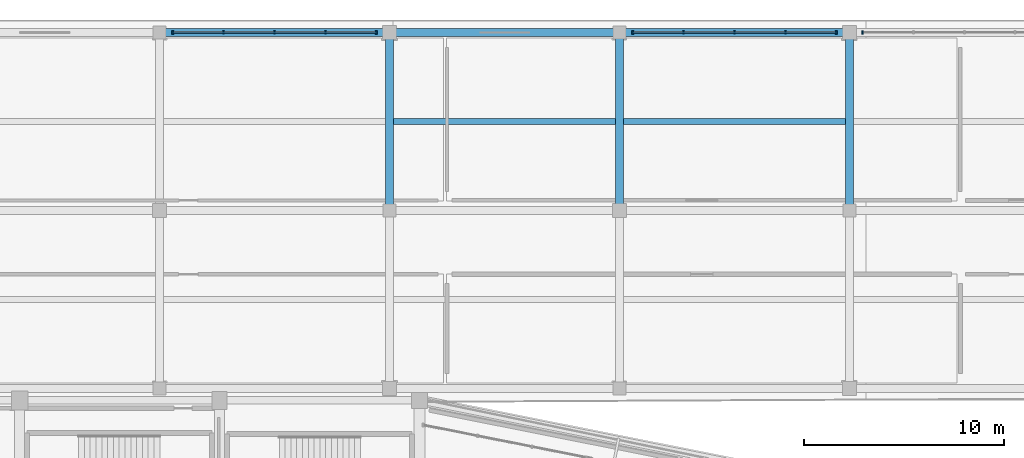
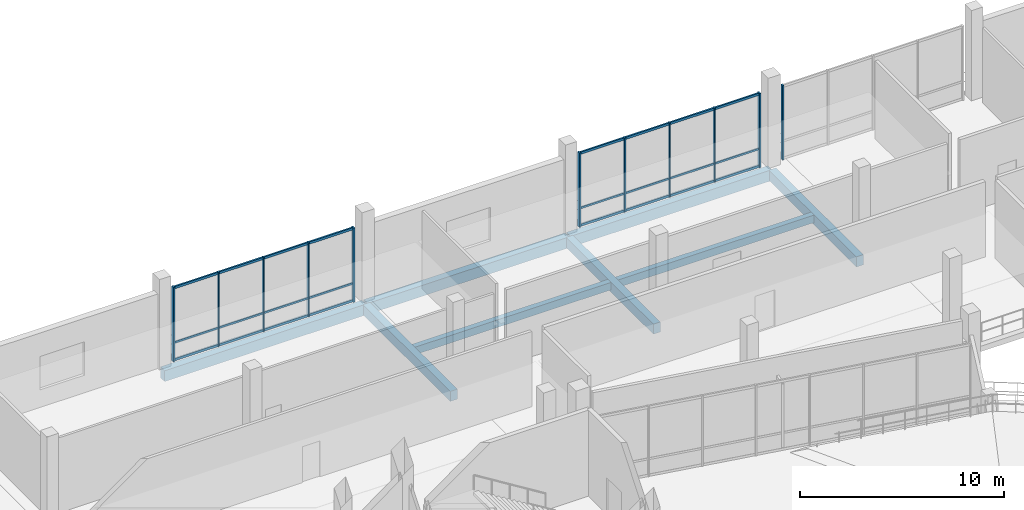
# One storey, part 59 of 127: 17 members, 8 beams, 3 elements without a shape of their own.
"""IFC4 building model written with IfcOpenShell, lengths in metres."""

from ifc_helpers import new_model, si_unit, direction, frame, origin, origin_2d, place, context, subcontext, project, spatial, rectangle, extrude, material, material_profile, profile_set, type_object, element, aggregate, save


model = new_model("IFC4")

# Units and contexts
model_context = context("Model", 3, precision=1e-05, world=origin(), true_north=direction((0.0, 1.0)))
body_context = subcontext(model_context, "Body", "Model", "MODEL_VIEW")
ifc_project = project(units=[si_unit("LENGTHUNIT", "METRE"), si_unit("AREAUNIT", "SQUARE_METRE"), si_unit("VOLUMEUNIT", "CUBIC_METRE"), si_unit("PLANEANGLEUNIT", "RADIAN"), si_unit("MASSUNIT", "GRAM", prefix="KILO")], contexts=[model_context])

# Site, building, storey
site_placement = place(None, origin())
site = spatial("IfcSite", under=ifc_project, at=site_placement, CompositionType="ELEMENT")
building_placement = place(site_placement, origin())
building = spatial("IfcBuilding", under=site, at=building_placement, Name="Candeia Ridge Stadium", CompositionType="ELEMENT")
storey_placement = place(building_placement, frame((0.0, 0.0, 10.800048828125)))
storey = spatial("IfcBuildingStorey", under=building, at=storey_placement, Name="L02", CompositionType="ELEMENT", Elevation=10.800048828125)

# Curtain wall, members
ifc_material_1 = material(Name="Aluminium Anodized Warm Bronze", Category="aluminium")
curtain_wall_type = type_object("IfcCurtainWallType", Name="Museum & Boulevard Showcase Curtain Wall", PredefinedType="NOTDEFINED", material=ifc_material_1)
curtain_wall_1_placement = place(storey_placement, origin())
curtain_wall_1 = element("IfcCurtainWall", 1, at=curtain_wall_1_placement, inside=storey, type_object=curtain_wall_type, Name="Unitised curtain wall CW-WNG-L02-152", PredefinedType="NOTDEFINED")
ifc_material_profile_1 = material_profile(ifc_material_1, rectangle(XDim=0.090087890625, YDim=0.179931640625, at=origin_2d()), Name="CWM-90x180", Category="aluminium")
ifc_profile_set_1 = profile_set([ifc_material_profile_1], Name="Aluminium Anodized Warm Bronze")
member_type_1 = type_object("IfcMemberType", Name="Curtain Wall Primary Mullion 90x180", PredefinedType="MULLION", material=ifc_profile_set_1)
member_1_placement = place(storey_placement, frame((128.659912109375, 165.39990234375, 0.0), z_axis=(0.0, 0.0, 1.0), x_axis=(1.0, 0.0, 0.0)))
member_1 = element("IfcMember", 2, at=member_1_placement, type_object=member_type_1, Name="Curtain wall mullion CW-WNG-L02-152-M0", PredefinedType="MULLION", context=body_context, shape_type="SweptSolid", body=[
    extrude(rectangle(XDim=0.090087890625, YDim=0.179931640625, at=origin_2d()), origin(), (0.0, 0.0, 1.0), 4.454833984375),
])
member_2_placement = place(storey_placement, frame((138.840087890625, 165.39990234375, 0.0), z_axis=(0.0, 0.0, 1.0), x_axis=(1.0, 0.0, 0.0)))
member_2 = element("IfcMember", 3, at=member_2_placement, type_object=member_type_1, Name="Curtain wall mullion CW-WNG-L02-152-M4", PredefinedType="MULLION", context=body_context, shape_type="SweptSolid", body=[
    extrude(rectangle(XDim=0.090087890625, YDim=0.179931640625, at=origin_2d()), origin(), (0.0, 0.0, 1.0), 4.454833984375),
])

curtain_wall_2_placement = place(storey_placement, origin())
curtain_wall_2 = element("IfcCurtainWall", 4, at=curtain_wall_2_placement, inside=storey, type_object=curtain_wall_type, Name="Unitised curtain wall CW-WNG-L02-153", PredefinedType="NOTDEFINED")
member_3_placement = place(storey_placement, frame((151.659912109375, 165.39990234375, 0.0), z_axis=(0.0, 0.0, 1.0), x_axis=(1.0, 0.0, 0.0)))
member_3 = element("IfcMember", 5, at=member_3_placement, type_object=member_type_1, Name="Curtain wall mullion CW-WNG-L02-153-M0", PredefinedType="MULLION", context=body_context, shape_type="SweptSolid", body=[
    extrude(rectangle(XDim=0.090087890625, YDim=0.179931640625, at=origin_2d()), origin(), (0.0, 0.0, 1.0), 4.454833984375),
])
member_4_placement = place(storey_placement, frame((161.840087890625, 165.39990234375, 0.0), z_axis=(0.0, 0.0, 1.0), x_axis=(1.0, 0.0, 0.0)))
member_4 = element("IfcMember", 6, at=member_4_placement, type_object=member_type_1, Name="Curtain wall mullion CW-WNG-L02-153-M4", PredefinedType="MULLION", context=body_context, shape_type="SweptSolid", body=[
    extrude(rectangle(XDim=0.090087890625, YDim=0.179931640625, at=origin_2d()), origin(), (0.0, 0.0, 1.0), 4.454833984375),
])

# Curtain wall, member
curtain_wall_3_placement = place(storey_placement, origin())
curtain_wall_3 = element("IfcCurtainWall", 7, at=curtain_wall_3_placement, inside=storey, type_object=curtain_wall_type, Name="Unitised curtain wall CW-WNG-L02-154", PredefinedType="NOTDEFINED")
member_5_placement = place(storey_placement, frame((163.159912109375, 165.39990234375, 0.0), z_axis=(0.0, 0.0, 1.0), x_axis=(1.0, 0.0, 0.0)))
member_5 = element("IfcMember", 8, at=member_5_placement, type_object=member_type_1, Name="Curtain wall mullion CW-WNG-L02-154-M0", PredefinedType="MULLION", context=body_context, shape_type="SweptSolid", body=[
    extrude(rectangle(XDim=0.090087890625, YDim=0.179931640625, at=origin_2d()), origin(), (0.0, 0.0, 1.0), 4.454833984375),
])
aggregate(curtain_wall_3, [member_5])

# Member
ifc_material_profile_2 = material_profile(ifc_material_1, rectangle(XDim=0.074951171875, YDim=0.14990234375, at=origin_2d()), Name="CWM-75x150", Category="aluminium")
ifc_profile_set_2 = profile_set([ifc_material_profile_2], Name="Aluminium Anodized Warm Bronze")
member_type_2 = type_object("IfcMemberType", Name="Curtain Wall Secondary Mullion 75x150", PredefinedType="MULLION", material=ifc_profile_set_2)
member_6_placement = place(storey_placement, frame((131.205078125, 165.39990234375, 0.0), z_axis=(0.0, 0.0, 1.0), x_axis=(1.0, 0.0, 0.0)))
member_6 = element("IfcMember", 9, at=member_6_placement, type_object=member_type_2, Name="Curtain wall mullion CW-WNG-L02-152-M1", PredefinedType="MULLION", context=body_context, shape_type="SweptSolid", body=[
    extrude(rectangle(XDim=0.074951171875, YDim=0.14990234375, at=origin_2d()), origin(), (0.0, 0.0, 1.0), 4.454833984375),
])

member_7_placement = place(storey_placement, frame((133.75, 165.39990234375, 0.0), z_axis=(0.0, 0.0, 1.0), x_axis=(1.0, 0.0, 0.0)))
member_7 = element("IfcMember", 10, at=member_7_placement, type_object=member_type_2, Name="Curtain wall mullion CW-WNG-L02-152-M2", PredefinedType="MULLION", context=body_context, shape_type="SweptSolid", body=[
    extrude(rectangle(XDim=0.074951171875, YDim=0.14990234375, at=origin_2d()), origin(), (0.0, 0.0, 1.0), 4.454833984375),
])

member_8_placement = place(storey_placement, frame((136.294921875, 165.39990234375, 0.0), z_axis=(0.0, 0.0, 1.0), x_axis=(1.0, 0.0, 0.0)))
member_8 = element("IfcMember", 11, at=member_8_placement, type_object=member_type_2, Name="Curtain wall mullion CW-WNG-L02-152-M3", PredefinedType="MULLION", context=body_context, shape_type="SweptSolid", body=[
    extrude(rectangle(XDim=0.074951171875, YDim=0.14990234375, at=origin_2d()), origin(), (0.0, 0.0, 1.0), 4.454833984375),
])

member_9_placement = place(storey_placement, frame((154.205078125, 165.39990234375, 0.0), z_axis=(0.0, 0.0, 1.0), x_axis=(1.0, 0.0, 0.0)))
member_9 = element("IfcMember", 12, at=member_9_placement, type_object=member_type_2, Name="Curtain wall mullion CW-WNG-L02-153-M1", PredefinedType="MULLION", context=body_context, shape_type="SweptSolid", body=[
    extrude(rectangle(XDim=0.074951171875, YDim=0.14990234375, at=origin_2d()), origin(), (0.0, 0.0, 1.0), 4.454833984375),
])

member_10_placement = place(storey_placement, frame((156.75, 165.39990234375, 0.0), z_axis=(0.0, 0.0, 1.0), x_axis=(1.0, 0.0, 0.0)))
member_10 = element("IfcMember", 13, at=member_10_placement, type_object=member_type_2, Name="Curtain wall mullion CW-WNG-L02-153-M2", PredefinedType="MULLION", context=body_context, shape_type="SweptSolid", body=[
    extrude(rectangle(XDim=0.074951171875, YDim=0.14990234375, at=origin_2d()), origin(), (0.0, 0.0, 1.0), 4.454833984375),
])

member_11_placement = place(storey_placement, frame((159.294921875, 165.39990234375, 0.0), z_axis=(0.0, 0.0, 1.0), x_axis=(1.0, 0.0, 0.0)))
member_11 = element("IfcMember", 14, at=member_11_placement, type_object=member_type_2, Name="Curtain wall mullion CW-WNG-L02-153-M3", PredefinedType="MULLION", context=body_context, shape_type="SweptSolid", body=[
    extrude(rectangle(XDim=0.074951171875, YDim=0.14990234375, at=origin_2d()), origin(), (0.0, 0.0, 1.0), 4.454833984375),
])

ifc_material_profile_3 = material_profile(ifc_material_1, rectangle(XDim=0.074951171875, YDim=0.110107421875, at=origin_2d()), Name="CWT-75x110", Category="aluminium")
ifc_profile_set_3 = profile_set([ifc_material_profile_3], Name="Aluminium Anodized Warm Bronze")
member_type_3 = type_object("IfcMemberType", Name="Curtain Wall Secondary Transom 75x110", PredefinedType="USERDEFINED", material=ifc_profile_set_3)
member_12_placement = place(storey_placement, frame((128.659912109375, 165.39990234375, 1.099853515625), z_axis=(1.0, 0.0, 0.0), x_axis=(0.0, 1.0, 0.0)))
member_12 = element("IfcMember", 15, at=member_12_placement, type_object=member_type_3, Name="Curtain wall transom CW-WNG-L02-152-T1", ObjectType="TRANSOM", PredefinedType="USERDEFINED", context=body_context, shape_type="SweptSolid", body=[
    extrude(rectangle(XDim=0.074951171875, YDim=0.110107421875, at=origin_2d()), origin(), (0.0, 0.0, 1.0), 10.18017578125),
])

member_13_placement = place(storey_placement, frame((151.659912109375, 165.39990234375, 1.099853515625), z_axis=(1.0, 0.0, 0.0), x_axis=(0.0, 1.0, 0.0)))
member_13 = element("IfcMember", 16, at=member_13_placement, type_object=member_type_3, Name="Curtain wall transom CW-WNG-L02-153-T1", ObjectType="TRANSOM", PredefinedType="USERDEFINED", context=body_context, shape_type="SweptSolid", body=[
    extrude(rectangle(XDim=0.074951171875, YDim=0.110107421875, at=origin_2d()), origin(), (0.0, 0.0, 1.0), 10.18017578125),
])

ifc_material_profile_4 = material_profile(ifc_material_1, rectangle(XDim=0.090087890625, YDim=0.139892578125, at=origin_2d()), Name="CWT-90x140", Category="aluminium")
ifc_profile_set_4 = profile_set([ifc_material_profile_4], Name="Aluminium Anodized Warm Bronze")
member_type_4 = type_object("IfcMemberType", Name="Curtain Wall Transom 90x140", PredefinedType="USERDEFINED", material=ifc_profile_set_4)
member_14_placement = place(storey_placement, frame((128.659912109375, 165.39990234375, 0.070068359375), z_axis=(1.0, 0.0, 0.0), x_axis=(0.0, 1.0, 0.0)))
member_14 = element("IfcMember", 17, at=member_14_placement, type_object=member_type_4, Name="Curtain wall transom CW-WNG-L02-152-T0", ObjectType="TRANSOM", PredefinedType="USERDEFINED", context=body_context, shape_type="SweptSolid", body=[
    extrude(rectangle(XDim=0.090087890625, YDim=0.139892578125, at=origin_2d()), origin(), (0.0, 0.0, 1.0), 10.18017578125),
])

member_15_placement = place(storey_placement, frame((128.659912109375, 165.39990234375, 4.385009765625), z_axis=(1.0, 0.0, 0.0), x_axis=(0.0, 1.0, 0.0)))
member_15 = element("IfcMember", 18, at=member_15_placement, type_object=member_type_4, Name="Curtain wall transom CW-WNG-L02-152-T2", ObjectType="TRANSOM", PredefinedType="USERDEFINED", context=body_context, shape_type="SweptSolid", body=[
    extrude(rectangle(XDim=0.090087890625, YDim=0.139892578125, at=origin_2d()), origin(), (0.0, 0.0, 1.0), 10.18017578125),
])

aggregate(curtain_wall_1, [member_1, member_6, member_7, member_8, member_2, member_14, member_12, member_15])

member_16_placement = place(storey_placement, frame((151.659912109375, 165.39990234375, 0.070068359375), z_axis=(1.0, 0.0, 0.0), x_axis=(0.0, 1.0, 0.0)))
member_16 = element("IfcMember", 19, at=member_16_placement, type_object=member_type_4, Name="Curtain wall transom CW-WNG-L02-153-T0", ObjectType="TRANSOM", PredefinedType="USERDEFINED", context=body_context, shape_type="SweptSolid", body=[
    extrude(rectangle(XDim=0.090087890625, YDim=0.139892578125, at=origin_2d()), origin(), (0.0, 0.0, 1.0), 10.18017578125),
])

member_17_placement = place(storey_placement, frame((151.659912109375, 165.39990234375, 4.385009765625), z_axis=(1.0, 0.0, 0.0), x_axis=(0.0, 1.0, 0.0)))
member_17 = element("IfcMember", 20, at=member_17_placement, type_object=member_type_4, Name="Curtain wall transom CW-WNG-L02-153-T2", ObjectType="TRANSOM", PredefinedType="USERDEFINED", context=body_context, shape_type="SweptSolid", body=[
    extrude(rectangle(XDim=0.090087890625, YDim=0.139892578125, at=origin_2d()), origin(), (0.0, 0.0, 1.0), 10.18017578125),
])

aggregate(curtain_wall_2, [member_3, member_9, member_10, member_11, member_4, member_16, member_13, member_17])

# Beams
ifc_material_2 = material(Name="Concrete C40/50", Category="concrete")
ifc_material_profile_5 = material_profile(ifc_material_2, rectangle(XDim=0.300048828125, YDim=0.449951171875, at=origin_2d()), Name="RC300x450", Category="concrete")
ifc_profile_set_5 = profile_set([ifc_material_profile_5], Name="Concrete C40/50")
beam_type_1 = type_object("IfcBeamType", Name="Floor Joist RC300x450", PredefinedType="JOIST", material=ifc_profile_set_5)
for number, where, z_axis, x_axis, name in (
    (21, (139.699462890625, 160.949951171875, -0.485107421875), (1.0, 0.0, 0.0), (0.0, 1.0, 0.0), "Wing secondary joist BM-L02-1759"),
    (22, (151.199462890625, 160.949951171875, -0.485107421875), (1.0, 0.0, 0.0), (0.0, 1.0, 0.0), "Wing secondary joist BM-L02-1764"),
):
    element("IfcBeam", number, at=place(storey_placement, frame(where, z_axis=z_axis, x_axis=x_axis)), inside=storey, type_object=beam_type_1, Name=name, PredefinedType="JOIST", context=body_context, shape_type="SweptSolid", body=[
        extrude(rectangle(XDim=0.300048828125, YDim=0.449951171875, at=origin_2d()), origin(), (0.0, 0.0, 1.0), 11.10107421875),
    ])
ifc_material_profile_6 = material_profile(ifc_material_2, rectangle(XDim=0.39990234375, YDim=0.60009765625, at=origin_2d()), Name="RC400x600", Category="concrete")
ifc_profile_set_6 = profile_set([ifc_material_profile_6], Name="Concrete C40/50")
beam_type_2 = type_object("IfcBeamType", Name="Frame Girder RC400x600", PredefinedType="BEAM", material=ifc_profile_set_6)
for number, where, z_axis, x_axis, name in (
    (23, (139.5, 156.659912109375, -0.56005859375), (0.0, 1.0, 0.0), (-1.0, 0.0, 0.0), "Structural girder BM-L02-1737"),
    (24, (151.0, 156.659912109375, -0.56005859375), (0.0, 1.0, 0.0), (-1.0, 0.0, 0.0), "Structural girder BM-L02-1739"),
    (25, (162.5, 156.659912109375, -0.56005859375), (0.0, 1.0, 0.0), (-1.0, 0.0, 0.0), "Structural girder BM-L02-1741"),
):
    element("IfcBeam", number, at=place(storey_placement, frame(where, z_axis=z_axis, x_axis=x_axis)), inside=storey, type_object=beam_type_2, Name=name, PredefinedType="BEAM", context=body_context, shape_type="SweptSolid", body=[
        extrude(rectangle(XDim=0.39990234375, YDim=0.60009765625, at=origin_2d()), origin(), (0.0, 0.0, 1.0), 8.580078125),
    ])
ifc_material_profile_7 = material_profile(ifc_material_2, rectangle(XDim=0.39990234375, YDim=0.64990234375, at=origin_2d()), Name="RC400x650", Category="concrete")
ifc_profile_set_7 = profile_set([ifc_material_profile_7], Name="Concrete C40/50")
beam_type_3 = type_object("IfcBeamType", Name="Wing Primary Girder RC400x650", PredefinedType="BEAM", material=ifc_profile_set_7)
for number, where, z_axis, x_axis, name in (
    (26, (128.050048828125, 165.39990234375, -0.5849609375), (1.0, 0.0, 0.0), (0.0, 1.0, 0.0), "Structural girder BM-L02-1755"),
    (27, (139.550048828125, 165.39990234375, -0.5849609375), (1.0, 0.0, 0.0), (0.0, 1.0, 0.0), "Structural girder BM-L02-1760"),
    (28, (151.050048828125, 165.39990234375, -0.5849609375), (1.0, 0.0, 0.0), (0.0, 1.0, 0.0), "Structural girder BM-L02-1765"),
):
    element("IfcBeam", number, at=place(storey_placement, frame(where, z_axis=z_axis, x_axis=x_axis)), inside=storey, type_object=beam_type_3, Name=name, PredefinedType="BEAM", context=body_context, shape_type="SweptSolid", body=[
        extrude(rectangle(XDim=0.39990234375, YDim=0.64990234375, at=origin_2d()), origin(), (0.0, 0.0, 1.0), 11.39990234375),
    ])

save(model, "model.ifc")
